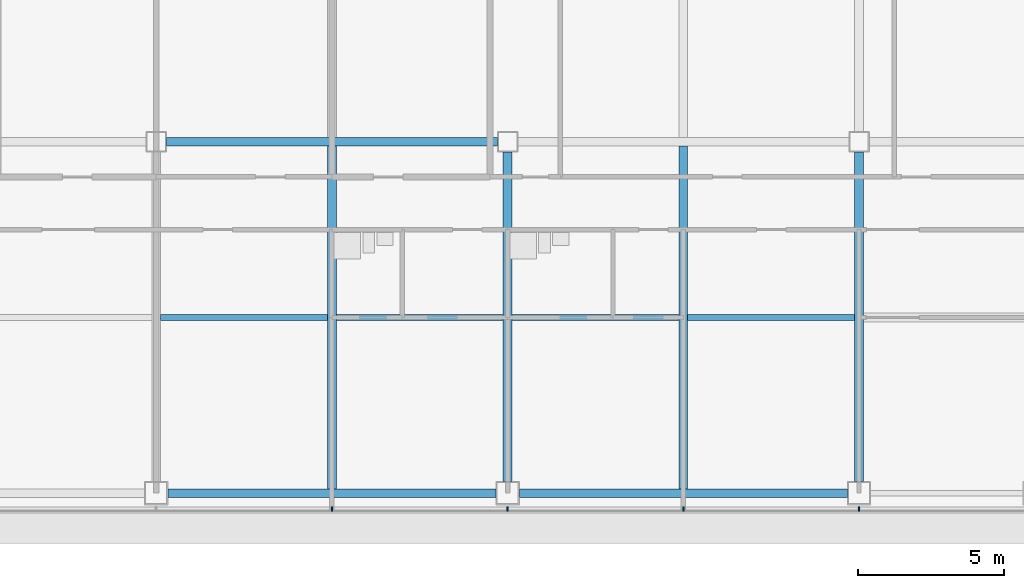
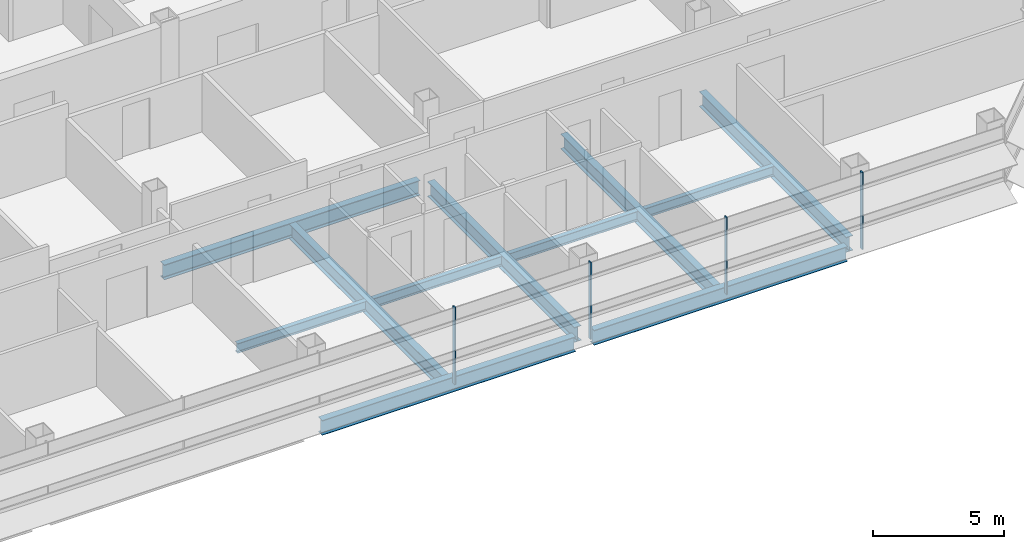
# One storey, part 8 of 25: 11 beams, 4 members, 1 element without a shape of its own.
"""IFC4 building model written with IfcOpenShell, lengths in metres."""

from ifc_helpers import new_model, si_unit, direction, frame, origin, origin_2d, place, context, subcontext, project, spatial, rectangle, i_section, extrude, material, material_profile, profile_set, type_object, element, aggregate, save


model = new_model("IFC4")

# Units and contexts
model_context = context("Model", 3, precision=1e-05, world=origin(), true_north=direction((0.0, 1.0)))
body_context = subcontext(model_context, "Body", "Model", "MODEL_VIEW")
ifc_project = project(units=[si_unit("LENGTHUNIT", "METRE"), si_unit("AREAUNIT", "SQUARE_METRE"), si_unit("VOLUMEUNIT", "CUBIC_METRE"), si_unit("PLANEANGLEUNIT", "RADIAN"), si_unit("MASSUNIT", "GRAM", prefix="KILO")], contexts=[model_context])

# Site, building, storey
site_placement = place(None, origin())
site = spatial("IfcSite", under=ifc_project, at=site_placement, CompositionType="ELEMENT")
building_placement = place(site_placement, origin())
building = spatial("IfcBuilding", under=site, at=building_placement, Name="Sorahane Residences", CompositionType="ELEMENT")
storey_placement = place(building_placement, frame((0.0, 0.0, 123.199951171875)))
storey = spatial("IfcBuildingStorey", under=building, at=storey_placement, Name="L27", CompositionType="ELEMENT", Elevation=123.199951171875)

# Curtain wall, members
ifc_material_1 = material(Name="Dark low-e glass and black anodised aluminium", Category="aluminium")
curtain_wall_type = type_object("IfcCurtainWallType", Name="Curtain wall CW-1 Typical unitised wall", PredefinedType="NOTDEFINED", material=ifc_material_1)
curtain_wall_placement = place(storey_placement, origin())
curtain_wall = element("IfcCurtainWall", 1, at=curtain_wall_placement, inside=storey, type_object=curtain_wall_type, Name="CW-1 curtain wall L27 S1", PredefinedType="NOTDEFINED")
ifc_material_2 = material(Name="Black anodised aluminium", Category="aluminium")
ifc_material_profile_1 = material_profile(ifc_material_2, rectangle(XDim=0.159912109375, YDim=0.050048828125, at=origin_2d()), Name="Curtain wall mullion CW-1 black anodised aluminium 50x160")
ifc_profile_set_1 = profile_set([ifc_material_profile_1], Name="Black anodised aluminium")
member_type = type_object("IfcMemberType", Name="Curtain wall mullion CW-1 black anodised aluminium 50x160", PredefinedType="MULLION", material=ifc_profile_set_1)
member_1_placement = place(storey_placement, frame((30.0, -0.5400390625, -0.179931640625), z_axis=(0.0, 0.0, 1.0), x_axis=(0.0, -1.0, 0.0)))
member_1 = element("IfcMember", 2, at=member_1_placement, type_object=member_type, Name="CW-1 mullion L27 S1.6", PredefinedType="MULLION", context=body_context, shape_type="SweptSolid", body=[
    extrude(rectangle(XDim=0.159912109375, YDim=0.050048828125, at=origin_2d()), origin(), (0.0, 0.0, 1.0), 3.60009765625),
])
member_2_placement = place(storey_placement, frame((36.0, -0.5400390625, -0.179931640625), z_axis=(0.0, 0.0, 1.0), x_axis=(0.0, -1.0, 0.0)))
member_2 = element("IfcMember", 3, at=member_2_placement, type_object=member_type, Name="CW-1 mullion L27 S1.7", PredefinedType="MULLION", context=body_context, shape_type="SweptSolid", body=[
    extrude(rectangle(XDim=0.159912109375, YDim=0.050048828125, at=origin_2d()), origin(), (0.0, 0.0, 1.0), 3.60009765625),
])
member_3_placement = place(storey_placement, frame((42.0, -0.5400390625, -0.179931640625), z_axis=(0.0, 0.0, 1.0), x_axis=(0.0, -1.0, 0.0)))
member_3 = element("IfcMember", 4, at=member_3_placement, type_object=member_type, Name="CW-1 mullion L27 S1.8", PredefinedType="MULLION", context=body_context, shape_type="SweptSolid", body=[
    extrude(rectangle(XDim=0.159912109375, YDim=0.050048828125, at=origin_2d()), origin(), (0.0, 0.0, 1.0), 3.60009765625),
])
member_4_placement = place(storey_placement, frame((48.0, -0.5400390625, -0.179931640625), z_axis=(0.0, 0.0, 1.0), x_axis=(0.0, -1.0, 0.0)))
member_4 = element("IfcMember", 5, at=member_4_placement, type_object=member_type, Name="CW-1 mullion L27 S1.9", PredefinedType="MULLION", context=body_context, shape_type="SweptSolid", body=[
    extrude(rectangle(XDim=0.159912109375, YDim=0.050048828125, at=origin_2d()), origin(), (0.0, 0.0, 1.0), 3.60009765625),
])
aggregate(curtain_wall, [member_1, member_2, member_3, member_4])

# Beams
ifc_material_3 = material(Name="Steel Q355B", Category="steel")
ifc_material_profile_2 = material_profile(ifc_material_3, i_section(OverallWidth=0.199951171875, OverallDepth=0.449951171875, WebThickness=0.009033203125, FlangeThickness=0.013916015625, FilletRadius=0.02001953125, at=origin_2d()), Name="HN 450x200x9x14")
ifc_profile_set_2 = profile_set([ifc_material_profile_2], Name="Steel Q355B")
beam_type_1 = type_object("IfcBeamType", Name="Steel floor beam HN 450x200x9x14 Q355B", PredefinedType="BEAM", material=ifc_profile_set_2)
for number, where, z_axis, x_axis, name in (
    (6, (24.14990234375, 6.0, -0.405029296875), (1.0, 0.0, 0.0), (0.0, 1.0, 0.0), "Beam L27 073"),
    (7, (30.14990234375, 6.0, -0.405029296875), (1.0, 0.0, 0.0), (0.0, 1.0, 0.0), "Beam L27 074"),
    (8, (36.14990234375, 6.0, -0.405029296875), (1.0, 0.0, 0.0), (0.0, 1.0, 0.0), "Beam L27 075"),
    (9, (42.14990234375, 6.0, -0.405029296875), (1.0, 0.0, 0.0), (0.0, 1.0, 0.0), "Beam L27 076"),
):
    element("IfcBeam", number, at=place(storey_placement, frame(where, z_axis=z_axis, x_axis=x_axis)), inside=storey, type_object=beam_type_1, Name=name, PredefinedType="BEAM", context=body_context, shape_type="SweptSolid", body=[
        extrude(i_section(OverallWidth=0.199951171875, OverallDepth=0.449951171875, WebThickness=0.009033203125, FlangeThickness=0.013916015625, FilletRadius=0.02001953125, at=origin_2d()), origin(), (0.0, 0.0, 1.0), 5.7001953125),
    ])
ifc_material_4 = material(Name="Steel Q355B", Category="steel")
ifc_material_profile_3 = material_profile(ifc_material_4, i_section(OverallWidth=0.300048828125, OverallDepth=0.699951171875, WebThickness=0.012939453125, FlangeThickness=0.02392578125, FilletRadius=0.028076171875, at=origin_2d()), Name="HN 700x300x13x24")
ifc_profile_set_3 = profile_set([ifc_material_profile_3], Name="Steel Q355B")
beam_type_2 = type_object("IfcBeamType", Name="Steel floor beam HN 700x300x13x24 Q355B", PredefinedType="BEAM", material=ifc_profile_set_3)
for number, where, z_axis, x_axis, name in (
    (10, (24.39990234375, 0.0, -0.530029296875), (1.0, 0.0, 0.0), (0.0, 1.0, 0.0), "Beam L27 002"),
    (11, (36.39990234375, 0.0, -0.530029296875), (1.0, 0.0, 0.0), (0.0, 1.0, 0.0), "Beam L27 003"),
):
    element("IfcBeam", number, at=place(storey_placement, frame(where, z_axis=z_axis, x_axis=x_axis)), inside=storey, type_object=beam_type_2, Name=name, PredefinedType="BEAM", context=body_context, shape_type="SweptSolid", body=[
        extrude(i_section(OverallWidth=0.300048828125, OverallDepth=0.699951171875, WebThickness=0.012939453125, FlangeThickness=0.02392578125, FilletRadius=0.028076171875, at=origin_2d()), origin(), (0.0, 0.0, 1.0), 11.2001953125),
    ])
beam_1_placement = place(storey_placement, frame((24.35009765625, 12.0, -0.530029296875), z_axis=(1.0, 0.0, 0.0), x_axis=(0.0, 1.0, 0.0)))
element("IfcBeam", 12, at=beam_1_placement, inside=storey, type_object=beam_type_2, Name="Beam L27 008", PredefinedType="BEAM", context=body_context, shape_type="SweptSolid", body=[
    extrude(i_section(OverallWidth=0.300048828125, OverallDepth=0.699951171875, WebThickness=0.012939453125, FlangeThickness=0.02392578125, FilletRadius=0.028076171875, at=origin_2d()), origin(), (0.0, 0.0, 1.0), 11.2998046875),
])
beam_2_placement = place(storey_placement, frame((30.0, 0.14990234375, -0.530029296875), z_axis=(0.0, 1.0, 0.0), x_axis=(-1.0, 0.0, 0.0)))
element("IfcBeam", 13, at=beam_2_placement, inside=storey, type_object=beam_type_2, Name="Beam L27 044", PredefinedType="BEAM", context=body_context, shape_type="SweptSolid", body=[
    extrude(i_section(OverallWidth=0.300048828125, OverallDepth=0.699951171875, WebThickness=0.012939453125, FlangeThickness=0.02392578125, FilletRadius=0.028076171875, at=origin_2d()), origin(), (0.0, 0.0, 1.0), 11.7001953125),
])
beam_3_placement = place(storey_placement, frame((36.0, 0.39990234375, -0.530029296875), z_axis=(0.0, 1.0, 0.0), x_axis=(-1.0, 0.0, 0.0)))
element("IfcBeam", 14, at=beam_3_placement, inside=storey, type_object=beam_type_2, Name="Beam L27 050", PredefinedType="BEAM", context=body_context, shape_type="SweptSolid", body=[
    extrude(i_section(OverallWidth=0.300048828125, OverallDepth=0.699951171875, WebThickness=0.012939453125, FlangeThickness=0.02392578125, FilletRadius=0.028076171875, at=origin_2d()), origin(), (0.0, 0.0, 1.0), 11.25),
])
beam_4_placement = place(storey_placement, frame((42.0, 0.14990234375, -0.530029296875), z_axis=(0.0, 1.0, 0.0), x_axis=(-1.0, 0.0, 0.0)))
element("IfcBeam", 15, at=beam_4_placement, inside=storey, type_object=beam_type_2, Name="Beam L27 052", PredefinedType="BEAM", context=body_context, shape_type="SweptSolid", body=[
    extrude(i_section(OverallWidth=0.300048828125, OverallDepth=0.699951171875, WebThickness=0.012939453125, FlangeThickness=0.02392578125, FilletRadius=0.028076171875, at=origin_2d()), origin(), (0.0, 0.0, 1.0), 11.7001953125),
])
beam_5_placement = place(storey_placement, frame((48.0, 0.39990234375, -0.530029296875), z_axis=(0.0, 1.0, 0.0), x_axis=(-1.0, 0.0, 0.0)))
element("IfcBeam", 16, at=beam_5_placement, inside=storey, type_object=beam_type_2, Name="Beam L27 058", PredefinedType="BEAM", context=body_context, shape_type="SweptSolid", body=[
    extrude(i_section(OverallWidth=0.300048828125, OverallDepth=0.699951171875, WebThickness=0.012939453125, FlangeThickness=0.02392578125, FilletRadius=0.028076171875, at=origin_2d()), origin(), (0.0, 0.0, 1.0), 11.25),
])

save(model, "model.ifc")
